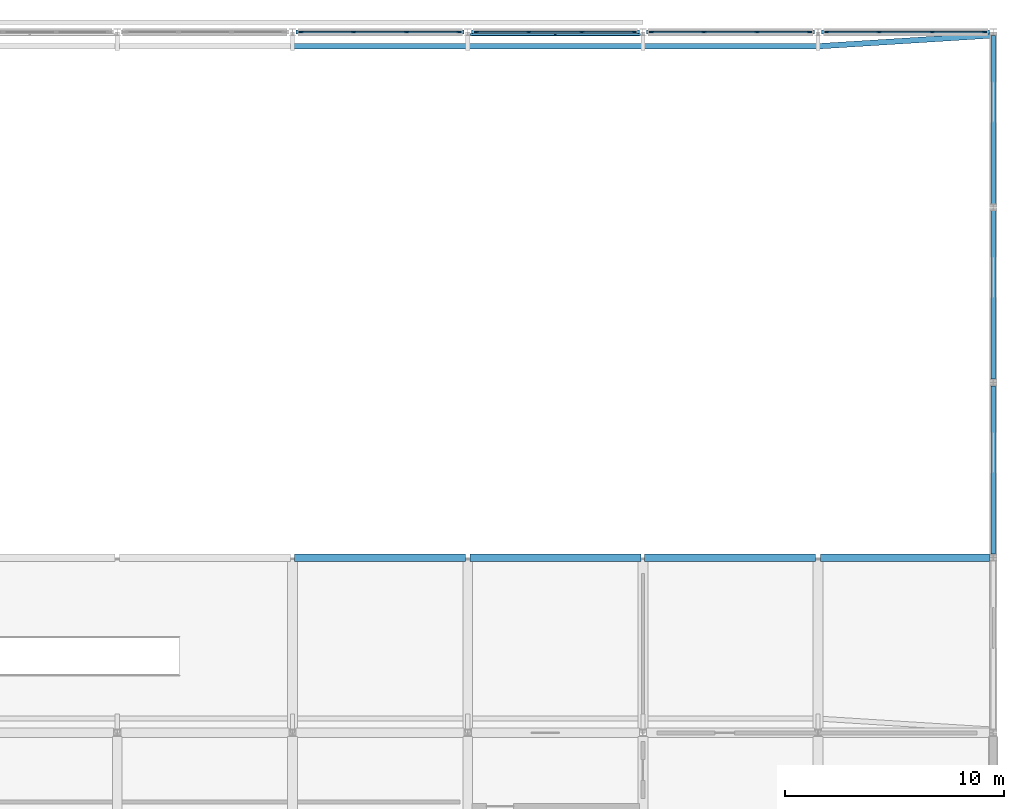
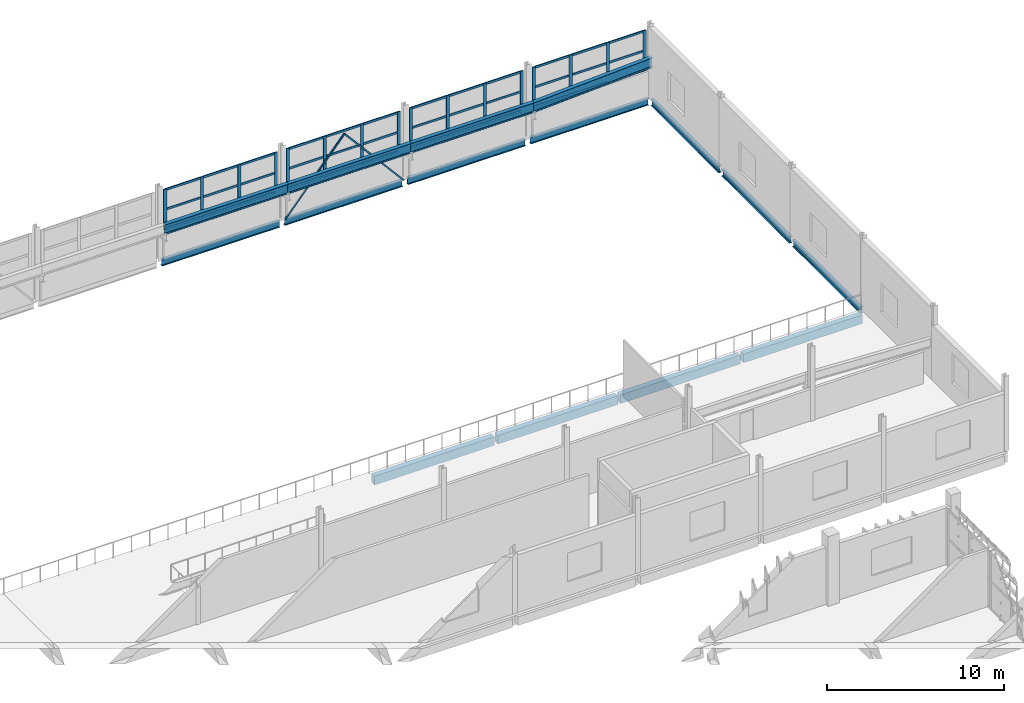
# One storey, part 67 of 106: 54 members, 15 beams, 4 elements without a shape of their own.
"""IFC4 building model written with IfcOpenShell, lengths in metres."""

from ifc_helpers import new_model, si_unit, direction, frame, origin, origin_2d, place, context, subcontext, project, spatial, rectangle, hollow_rectangle, i_section, extrude, material, layer, layer_set, material_profile, profile_set, type_object, element, aggregate, save


model = new_model("IFC4")

# Units and contexts
model_context = context("Model", 3, precision=1e-05, world=origin(), true_north=direction((0.0, 1.0)))
body_context = subcontext(model_context, "Body", "Model", "MODEL_VIEW")
ifc_project = project(units=[si_unit("LENGTHUNIT", "METRE"), si_unit("AREAUNIT", "SQUARE_METRE"), si_unit("VOLUMEUNIT", "CUBIC_METRE"), si_unit("PLANEANGLEUNIT", "RADIAN"), si_unit("MASSUNIT", "GRAM", prefix="KILO")], contexts=[model_context])

# Site, building, storey
site_placement = place(None, origin())
site = spatial("IfcSite", under=ifc_project, at=site_placement, CompositionType="ELEMENT")
building_placement = place(site_placement, origin())
building = spatial("IfcBuilding", under=site, at=building_placement, Name="Jelvoka-Kovrelna Polytechnic", CompositionType="ELEMENT")
storey_placement = place(building_placement, frame((0.0, 0.0, 4.800048828125)))
storey = spatial("IfcBuildingStorey", under=building, at=storey_placement, Name="L02", CompositionType="ELEMENT", Elevation=4.800048828125)

# Beams
ifc_material_1 = material(Name="Structural steel S355JR", Category="steel")
ifc_material_profile_1 = material_profile(ifc_material_1, i_section(OverallWidth=0.2529296875, OverallDepth=0.677978515625, WebThickness=0.01171875, FlangeThickness=0.01611328125, FilletRadius=0.01513671875, at=origin_2d()), Name="686x254x125 UB")
ifc_profile_set_1 = profile_set([ifc_material_profile_1], Name="Structural steel S355JR")
beam_type_1 = type_object("IfcBeamType", Name="CraneGirder_UB686", PredefinedType="USERDEFINED", material=ifc_profile_set_1)
for number, where, z_axis, x_axis, name in (
    (1, (168.0, 119.35009765625, 2.538818359375), (1.0, 0.0, 0.0), (0.0, 1.0, 0.0), "L02 workshop crane runway girder 022"),
    (2, (176.0, 119.35009765625, 2.538818359375), (1.0, 0.0, 0.0), (0.0, 1.0, 0.0), "L02 workshop crane runway girder 024"),
    (3, (184.0, 119.35009765625, 2.538818359375), (1.0, 0.0, 0.0), (0.0, 1.0, 0.0), "L02 workshop crane runway girder 026"),
):
    element("IfcBeam", number, at=place(storey_placement, frame(where, z_axis=z_axis, x_axis=x_axis)), inside=storey, type_object=beam_type_1, Name=name, ObjectType="CRANE RUNWAY", PredefinedType="USERDEFINED", context=body_context, shape_type="SweptSolid", body=[
        extrude(i_section(OverallWidth=0.2529296875, OverallDepth=0.677978515625, WebThickness=0.01171875, FlangeThickness=0.01611328125, FilletRadius=0.01513671875, at=origin_2d()), origin(), (0.0, 0.0, 1.0), 8.0),
    ])
beam_1_placement = place(storey_placement, frame((192.0, 119.35009765625, 2.538818359375), z_axis=(0.998052578483, 0.062378286155, 0.0), x_axis=(-0.062378286155, 0.998052578483, 0.0)))
element("IfcBeam", 4, at=beam_1_placement, inside=storey, type_object=beam_type_1, Name="L02 workshop crane runway girder 028", ObjectType="CRANE RUNWAY", PredefinedType="USERDEFINED", context=body_context, shape_type="SweptSolid", body=[
    extrude(i_section(OverallWidth=0.2529296875, OverallDepth=0.677978515625, WebThickness=0.01171875, FlangeThickness=0.01611328125, FilletRadius=0.01513671875, at=origin_2d()), origin(), (0.0, 0.0, 1.0), 8.015625),
])
ifc_material_2 = material(Name="Structural steel S355JR", Category="steel")
ifc_material_profile_2 = material_profile(ifc_material_2, i_section(OverallWidth=0.18994140625, OverallDepth=0.453369140625, WebThickness=0.008544921875, FlangeThickness=0.0126953125, FilletRadius=0.01025390625, at=origin_2d()), Name="457x191x67 UB")
ifc_profile_set_2 = profile_set([ifc_material_profile_2], Name="Structural steel S355JR")
beam_type_2 = type_object("IfcBeamType", Name="Girder_Steel_UB457", PredefinedType="BEAM", material=ifc_profile_set_2)
for number, where, z_axis, x_axis, name in (
    (5, (168.164306640625, 120.0, -0.226806640625), (1.0, 0.0, 0.0), (0.0, 1.0, 0.0), "L02 beam 0055"),
    (6, (176.164306640625, 120.0, -0.226806640625), (1.0, 0.0, 0.0), (0.0, 1.0, 0.0), "L02 beam 0060"),
    (7, (184.164306640625, 120.0, -0.226806640625), (1.0, 0.0, 0.0), (0.0, 1.0, 0.0), "L02 beam 0065"),
    (8, (192.164306640625, 120.0, -0.226806640625), (1.0, 0.0, 0.0), (0.0, 1.0, 0.0), "L02 beam 0070"),
):
    element("IfcBeam", number, at=place(storey_placement, frame(where, z_axis=z_axis, x_axis=x_axis)), inside=storey, type_object=beam_type_2, Name=name, PredefinedType="BEAM", context=body_context, shape_type="SweptSolid", body=[
        extrude(i_section(OverallWidth=0.18994140625, OverallDepth=0.453369140625, WebThickness=0.008544921875, FlangeThickness=0.0126953125, FilletRadius=0.01025390625, at=origin_2d()), origin(), (0.0, 0.0, 1.0), 7.67138671875),
    ])
for number, where, z_axis, x_axis, name in (
    (9, (200.0, 96.15771484375, -0.226806640625), (0.0, 1.0, 0.0), (-1.0, 0.0, 0.0), "L02 beam 0080"),
    (10, (200.0, 104.15771484375, -0.226806640625), (0.0, 1.0, 0.0), (-1.0, 0.0, 0.0), "L02 beam 0084"),
    (11, (200.0, 112.15771484375, -0.226806640625), (0.0, 1.0, 0.0), (-1.0, 0.0, 0.0), "L02 beam 0088"),
):
    element("IfcBeam", number, at=place(storey_placement, frame(where, z_axis=z_axis, x_axis=x_axis)), inside=storey, type_object=beam_type_2, Name=name, PredefinedType="BEAM", context=body_context, shape_type="SweptSolid", body=[
        extrude(i_section(OverallWidth=0.18994140625, OverallDepth=0.453369140625, WebThickness=0.008544921875, FlangeThickness=0.0126953125, FilletRadius=0.01025390625, at=origin_2d()), origin(), (0.0, 0.0, 1.0), 7.6845703125),
    ])

# Members
ifc_material_3 = material(Name="Structural steel S355J2H", Category="steel")
ifc_material_profile_3 = material_profile(ifc_material_3, hollow_rectangle(XDim=0.10009765625, YDim=0.10009765625, WallThickness=0.00634765625, InnerFilletRadius=0.00634765625, OuterFilletRadius=0.009521484375, at=origin_2d()), Name="100x100x6.3 SHS")
ifc_profile_set_3 = profile_set([ifc_material_profile_3], Name="Structural steel S355J2H")
member_type_1 = type_object("IfcMemberType", Name="Member_Brace_SHS100", PredefinedType="BRACE", material=ifc_profile_set_3)
for number, where, z_axis, x_axis, name in (
    (12, (176.14990234375, 119.8798828125, 0.02001953125), (0.647606697765, 0.0, 0.761974779773), (0.0, 1.0, 0.0), "L02 workshop vertical wall K-brace 0245"),
    (13, (183.85009765625, 119.8798828125, 0.02001953125), (-0.647606697765, 0.0, 0.761974779773), (0.0, -1.0, 0.0), "L02 workshop vertical wall K-brace 0246"),
):
    element("IfcMember", number, at=place(storey_placement, frame(where, z_axis=z_axis, x_axis=x_axis)), inside=storey, type_object=member_type_1, Name=name, PredefinedType="BRACE", context=body_context, shape_type="SweptSolid", body=[
        extrude(hollow_rectangle(XDim=0.10009765625, YDim=0.10009765625, WallThickness=0.00634765625, InnerFilletRadius=0.00634765625, OuterFilletRadius=0.009521484375, at=origin_2d()), origin(), (0.0, 0.0, 1.0), 5.945068359375),
    ])

# Curtain wall, members
ifc_material_4 = material(Name="Anodised aluminium 6063-T6", Category="aluminium")
ifc_layer = layer(ifc_material_4, 0.199951171875)
ifc_layer_set = layer_set([ifc_layer], Name="Anodised aluminium 6063-T6")
curtain_wall_type = type_object("IfcCurtainWallType", Name="CW_Clerestory", PredefinedType="NOTDEFINED", material=ifc_layer_set)
curtain_wall_1_placement = place(storey_placement, origin())
curtain_wall_1 = element("IfcCurtainWall", 14, at=curtain_wall_1_placement, inside=storey, type_object=curtain_wall_type, Name="L02 glazed curtain wall 179", PredefinedType="NOTDEFINED")
ifc_material_5 = material(Name="Anodised aluminium 6063-T6", Category="aluminium")
ifc_material_profile_4 = material_profile(ifc_material_5, rectangle(XDim=0.070068359375, YDim=0.199951171875, at=origin_2d()), Name="ALU 70x200")
ifc_profile_set_4 = profile_set([ifc_material_profile_4], Name="Anodised aluminium 6063-T6")
member_type_2 = type_object("IfcMemberType", Name="Mullion_M-03", PredefinedType="MULLION", material=ifc_profile_set_4)
member_1_placement = place(storey_placement, frame((168.39501953125, 120.0, 1.925048828125), z_axis=(0.0, 0.0, 1.0), x_axis=(0.0, 1.0, 0.0)))
member_1 = element("IfcMember", 15, at=member_1_placement, type_object=member_type_2, Name="CW-03 mullion 1", PredefinedType="MULLION", context=body_context, shape_type="SweptSolid", body=[
    extrude(rectangle(XDim=0.070068359375, YDim=0.199951171875, at=origin_2d()), origin(), (0.0, 0.0, 1.0), 2.820068359375),
])
member_2_placement = place(storey_placement, frame((170.78662109375, 120.0, 1.925048828125), z_axis=(0.0, 0.0, 1.0), x_axis=(0.0, 1.0, 0.0)))
member_2 = element("IfcMember", 16, at=member_2_placement, type_object=member_type_2, Name="CW-03 mullion 2", PredefinedType="MULLION", context=body_context, shape_type="SweptSolid", body=[
    extrude(rectangle(XDim=0.070068359375, YDim=0.199951171875, at=origin_2d()), origin(), (0.0, 0.0, 1.0), 2.820068359375),
])
member_3_placement = place(storey_placement, frame((173.21337890625, 120.0, 1.925048828125), z_axis=(0.0, 0.0, 1.0), x_axis=(0.0, 1.0, 0.0)))
member_3 = element("IfcMember", 17, at=member_3_placement, type_object=member_type_2, Name="CW-03 mullion 3", PredefinedType="MULLION", context=body_context, shape_type="SweptSolid", body=[
    extrude(rectangle(XDim=0.070068359375, YDim=0.199951171875, at=origin_2d()), origin(), (0.0, 0.0, 1.0), 2.820068359375),
])
member_4_placement = place(storey_placement, frame((175.60498046875, 120.0, 1.925048828125), z_axis=(0.0, 0.0, 1.0), x_axis=(0.0, 1.0, 0.0)))
member_4 = element("IfcMember", 18, at=member_4_placement, type_object=member_type_2, Name="CW-03 mullion 4", PredefinedType="MULLION", context=body_context, shape_type="SweptSolid", body=[
    extrude(rectangle(XDim=0.070068359375, YDim=0.199951171875, at=origin_2d()), origin(), (0.0, 0.0, 1.0), 2.820068359375),
])

curtain_wall_2_placement = place(storey_placement, origin())
curtain_wall_2 = element("IfcCurtainWall", 19, at=curtain_wall_2_placement, inside=storey, type_object=curtain_wall_type, Name="L02 glazed curtain wall 180", PredefinedType="NOTDEFINED")
member_5_placement = place(storey_placement, frame((176.39501953125, 120.0, 1.925048828125), z_axis=(0.0, 0.0, 1.0), x_axis=(0.0, 1.0, 0.0)))
member_5 = element("IfcMember", 20, at=member_5_placement, type_object=member_type_2, Name="CW-03 mullion 1", PredefinedType="MULLION", context=body_context, shape_type="SweptSolid", body=[
    extrude(rectangle(XDim=0.070068359375, YDim=0.199951171875, at=origin_2d()), origin(), (0.0, 0.0, 1.0), 2.820068359375),
])
member_6_placement = place(storey_placement, frame((178.78662109375, 120.0, 1.925048828125), z_axis=(0.0, 0.0, 1.0), x_axis=(0.0, 1.0, 0.0)))
member_6 = element("IfcMember", 21, at=member_6_placement, type_object=member_type_2, Name="CW-03 mullion 2", PredefinedType="MULLION", context=body_context, shape_type="SweptSolid", body=[
    extrude(rectangle(XDim=0.070068359375, YDim=0.199951171875, at=origin_2d()), origin(), (0.0, 0.0, 1.0), 2.820068359375),
])
member_7_placement = place(storey_placement, frame((181.21337890625, 120.0, 1.925048828125), z_axis=(0.0, 0.0, 1.0), x_axis=(0.0, 1.0, 0.0)))
member_7 = element("IfcMember", 22, at=member_7_placement, type_object=member_type_2, Name="CW-03 mullion 3", PredefinedType="MULLION", context=body_context, shape_type="SweptSolid", body=[
    extrude(rectangle(XDim=0.070068359375, YDim=0.199951171875, at=origin_2d()), origin(), (0.0, 0.0, 1.0), 2.820068359375),
])
member_8_placement = place(storey_placement, frame((183.60498046875, 120.0, 1.925048828125), z_axis=(0.0, 0.0, 1.0), x_axis=(0.0, 1.0, 0.0)))
member_8 = element("IfcMember", 23, at=member_8_placement, type_object=member_type_2, Name="CW-03 mullion 4", PredefinedType="MULLION", context=body_context, shape_type="SweptSolid", body=[
    extrude(rectangle(XDim=0.070068359375, YDim=0.199951171875, at=origin_2d()), origin(), (0.0, 0.0, 1.0), 2.820068359375),
])

curtain_wall_3_placement = place(storey_placement, origin())
curtain_wall_3 = element("IfcCurtainWall", 24, at=curtain_wall_3_placement, inside=storey, type_object=curtain_wall_type, Name="L02 glazed curtain wall 181", PredefinedType="NOTDEFINED")
member_9_placement = place(storey_placement, frame((184.39501953125, 120.0, 1.925048828125), z_axis=(0.0, 0.0, 1.0), x_axis=(0.0, 1.0, 0.0)))
member_9 = element("IfcMember", 25, at=member_9_placement, type_object=member_type_2, Name="CW-03 mullion 1", PredefinedType="MULLION", context=body_context, shape_type="SweptSolid", body=[
    extrude(rectangle(XDim=0.070068359375, YDim=0.199951171875, at=origin_2d()), origin(), (0.0, 0.0, 1.0), 2.820068359375),
])
member_10_placement = place(storey_placement, frame((186.78662109375, 120.0, 1.925048828125), z_axis=(0.0, 0.0, 1.0), x_axis=(0.0, 1.0, 0.0)))
member_10 = element("IfcMember", 26, at=member_10_placement, type_object=member_type_2, Name="CW-03 mullion 2", PredefinedType="MULLION", context=body_context, shape_type="SweptSolid", body=[
    extrude(rectangle(XDim=0.070068359375, YDim=0.199951171875, at=origin_2d()), origin(), (0.0, 0.0, 1.0), 2.820068359375),
])
member_11_placement = place(storey_placement, frame((189.21337890625, 120.0, 1.925048828125), z_axis=(0.0, 0.0, 1.0), x_axis=(0.0, 1.0, 0.0)))
member_11 = element("IfcMember", 27, at=member_11_placement, type_object=member_type_2, Name="CW-03 mullion 3", PredefinedType="MULLION", context=body_context, shape_type="SweptSolid", body=[
    extrude(rectangle(XDim=0.070068359375, YDim=0.199951171875, at=origin_2d()), origin(), (0.0, 0.0, 1.0), 2.820068359375),
])
member_12_placement = place(storey_placement, frame((191.60498046875, 120.0, 1.925048828125), z_axis=(0.0, 0.0, 1.0), x_axis=(0.0, 1.0, 0.0)))
member_12 = element("IfcMember", 28, at=member_12_placement, type_object=member_type_2, Name="CW-03 mullion 4", PredefinedType="MULLION", context=body_context, shape_type="SweptSolid", body=[
    extrude(rectangle(XDim=0.070068359375, YDim=0.199951171875, at=origin_2d()), origin(), (0.0, 0.0, 1.0), 2.820068359375),
])

curtain_wall_4_placement = place(storey_placement, origin())
curtain_wall_4 = element("IfcCurtainWall", 29, at=curtain_wall_4_placement, inside=storey, type_object=curtain_wall_type, Name="L02 glazed curtain wall 182", PredefinedType="NOTDEFINED")
member_13_placement = place(storey_placement, frame((192.39501953125, 120.0, 1.925048828125), z_axis=(0.0, 0.0, 1.0), x_axis=(0.0, 1.0, 0.0)))
member_13 = element("IfcMember", 30, at=member_13_placement, type_object=member_type_2, Name="CW-03 mullion 1", PredefinedType="MULLION", context=body_context, shape_type="SweptSolid", body=[
    extrude(rectangle(XDim=0.070068359375, YDim=0.199951171875, at=origin_2d()), origin(), (0.0, 0.0, 1.0), 2.820068359375),
])
member_14_placement = place(storey_placement, frame((194.78662109375, 120.0, 1.925048828125), z_axis=(0.0, 0.0, 1.0), x_axis=(0.0, 1.0, 0.0)))
member_14 = element("IfcMember", 31, at=member_14_placement, type_object=member_type_2, Name="CW-03 mullion 2", PredefinedType="MULLION", context=body_context, shape_type="SweptSolid", body=[
    extrude(rectangle(XDim=0.070068359375, YDim=0.199951171875, at=origin_2d()), origin(), (0.0, 0.0, 1.0), 2.820068359375),
])
member_15_placement = place(storey_placement, frame((197.21337890625, 120.0, 1.925048828125), z_axis=(0.0, 0.0, 1.0), x_axis=(0.0, 1.0, 0.0)))
member_15 = element("IfcMember", 32, at=member_15_placement, type_object=member_type_2, Name="CW-03 mullion 3", PredefinedType="MULLION", context=body_context, shape_type="SweptSolid", body=[
    extrude(rectangle(XDim=0.070068359375, YDim=0.199951171875, at=origin_2d()), origin(), (0.0, 0.0, 1.0), 2.820068359375),
])
member_16_placement = place(storey_placement, frame((199.60498046875, 120.0, 1.925048828125), z_axis=(0.0, 0.0, 1.0), x_axis=(0.0, 1.0, 0.0)))
member_16 = element("IfcMember", 33, at=member_16_placement, type_object=member_type_2, Name="CW-03 mullion 4", PredefinedType="MULLION", context=body_context, shape_type="SweptSolid", body=[
    extrude(rectangle(XDim=0.070068359375, YDim=0.199951171875, at=origin_2d()), origin(), (0.0, 0.0, 1.0), 2.820068359375),
])

# Beams
ifc_material_6 = material(Name="Concrete C40/50", Category="concrete")
ifc_material_profile_5 = material_profile(ifc_material_6, rectangle(XDim=0.35009765625, YDim=0.60009765625, at=origin_2d()), Name="RC 350x600")
ifc_profile_set_5 = profile_set([ifc_material_profile_5], Name="Concrete C40/50")
beam_type_3 = type_object("IfcBeamType", Name="Spandrel_RC_350x600", PredefinedType="SPANDREL", material=ifc_profile_set_5)
for number, where, z_axis, x_axis, name in (
    (34, (168.0830078125, 96.0, -0.580078125), (1.0, 0.0, 0.0), (0.0, 1.0, 0.0), "L02 beam 0598"),
    (35, (176.107421875, 96.0, -0.580078125), (1.0, 0.0, 0.0), (0.0, 1.0, 0.0), "L02 beam 0599"),
    (36, (184.0830078125, 96.0, -0.580078125), (1.0, 0.0, 0.0), (0.0, 1.0, 0.0), "L02 beam 0600"),
):
    element("IfcBeam", number, at=place(storey_placement, frame(where, z_axis=z_axis, x_axis=x_axis)), inside=storey, type_object=beam_type_3, Name=name, PredefinedType="SPANDREL", context=body_context, shape_type="SweptSolid", body=[
        extrude(rectangle(XDim=0.35009765625, YDim=0.60009765625, at=origin_2d()), origin(), (0.0, 0.0, 1.0), 7.8095703125),
    ])
beam_2_placement = place(storey_placement, frame((192.107421875, 96.0, -0.580078125), z_axis=(1.0, 0.0, 0.0), x_axis=(0.0, 1.0, 0.0)))
element("IfcBeam", 37, at=beam_2_placement, inside=storey, type_object=beam_type_3, Name="L02 beam 0601", PredefinedType="SPANDREL", context=body_context, shape_type="SweptSolid", body=[
    extrude(rectangle(XDim=0.35009765625, YDim=0.60009765625, at=origin_2d()), origin(), (0.0, 0.0, 1.0), 7.728271484375),
])

# Member
ifc_material_7 = material(Name="Anodised aluminium 6063-T6", Category="aluminium")
ifc_material_profile_6 = material_profile(ifc_material_7, rectangle(XDim=0.070068359375, YDim=0.14501953125, at=origin_2d()), Name="ALU 70x145")
ifc_profile_set_6 = profile_set([ifc_material_profile_6], Name="Anodised aluminium 6063-T6")
member_type_3 = type_object("IfcMemberType", Name="Transom_T-03", PredefinedType="USERDEFINED", material=ifc_profile_set_6)
member_17_placement = place(storey_placement, frame((168.429931640625, 120.0, 1.98486328125), z_axis=(1.0, 0.0, 0.0), x_axis=(0.0, 1.0, 0.0)))
member_17 = element("IfcMember", 38, at=member_17_placement, type_object=member_type_3, Name="CW-03 transom 1.1", ObjectType="TRANSOM", PredefinedType="USERDEFINED", context=body_context, shape_type="SweptSolid", body=[
    extrude(rectangle(XDim=0.070068359375, YDim=0.14501953125, at=origin_2d()), origin(), (0.0, 0.0, 1.0), 2.32177734375),
])

member_18_placement = place(storey_placement, frame((168.429931640625, 120.0, 3.3349609375), z_axis=(1.0, 0.0, 0.0), x_axis=(0.0, 1.0, 0.0)))
member_18 = element("IfcMember", 39, at=member_18_placement, type_object=member_type_3, Name="CW-03 transom 1.2", ObjectType="TRANSOM", PredefinedType="USERDEFINED", context=body_context, shape_type="SweptSolid", body=[
    extrude(rectangle(XDim=0.070068359375, YDim=0.14501953125, at=origin_2d()), origin(), (0.0, 0.0, 1.0), 2.32177734375),
])

member_19_placement = place(storey_placement, frame((168.429931640625, 120.0, 4.68505859375), z_axis=(1.0, 0.0, 0.0), x_axis=(0.0, 1.0, 0.0)))
member_19 = element("IfcMember", 40, at=member_19_placement, type_object=member_type_3, Name="CW-03 transom 1.3", ObjectType="TRANSOM", PredefinedType="USERDEFINED", context=body_context, shape_type="SweptSolid", body=[
    extrude(rectangle(XDim=0.070068359375, YDim=0.14501953125, at=origin_2d()), origin(), (0.0, 0.0, 1.0), 2.32177734375),
])

member_20_placement = place(storey_placement, frame((170.82177734375, 120.0, 1.98486328125), z_axis=(1.0, 0.0, 0.0), x_axis=(0.0, 1.0, 0.0)))
member_20 = element("IfcMember", 41, at=member_20_placement, type_object=member_type_3, Name="CW-03 transom 2.1", ObjectType="TRANSOM", PredefinedType="USERDEFINED", context=body_context, shape_type="SweptSolid", body=[
    extrude(rectangle(XDim=0.070068359375, YDim=0.14501953125, at=origin_2d()), origin(), (0.0, 0.0, 1.0), 2.3564453125),
])

member_21_placement = place(storey_placement, frame((170.82177734375, 120.0, 3.3349609375), z_axis=(1.0, 0.0, 0.0), x_axis=(0.0, 1.0, 0.0)))
member_21 = element("IfcMember", 42, at=member_21_placement, type_object=member_type_3, Name="CW-03 transom 2.2", ObjectType="TRANSOM", PredefinedType="USERDEFINED", context=body_context, shape_type="SweptSolid", body=[
    extrude(rectangle(XDim=0.070068359375, YDim=0.14501953125, at=origin_2d()), origin(), (0.0, 0.0, 1.0), 2.3564453125),
])

member_22_placement = place(storey_placement, frame((170.82177734375, 120.0, 4.68505859375), z_axis=(1.0, 0.0, 0.0), x_axis=(0.0, 1.0, 0.0)))
member_22 = element("IfcMember", 43, at=member_22_placement, type_object=member_type_3, Name="CW-03 transom 2.3", ObjectType="TRANSOM", PredefinedType="USERDEFINED", context=body_context, shape_type="SweptSolid", body=[
    extrude(rectangle(XDim=0.070068359375, YDim=0.14501953125, at=origin_2d()), origin(), (0.0, 0.0, 1.0), 2.3564453125),
])

member_23_placement = place(storey_placement, frame((173.248291015625, 120.0, 1.98486328125), z_axis=(1.0, 0.0, 0.0), x_axis=(0.0, 1.0, 0.0)))
member_23 = element("IfcMember", 44, at=member_23_placement, type_object=member_type_3, Name="CW-03 transom 3.1", ObjectType="TRANSOM", PredefinedType="USERDEFINED", context=body_context, shape_type="SweptSolid", body=[
    extrude(rectangle(XDim=0.070068359375, YDim=0.14501953125, at=origin_2d()), origin(), (0.0, 0.0, 1.0), 2.32177734375),
])

member_24_placement = place(storey_placement, frame((173.248291015625, 120.0, 3.3349609375), z_axis=(1.0, 0.0, 0.0), x_axis=(0.0, 1.0, 0.0)))
member_24 = element("IfcMember", 45, at=member_24_placement, type_object=member_type_3, Name="CW-03 transom 3.2", ObjectType="TRANSOM", PredefinedType="USERDEFINED", context=body_context, shape_type="SweptSolid", body=[
    extrude(rectangle(XDim=0.070068359375, YDim=0.14501953125, at=origin_2d()), origin(), (0.0, 0.0, 1.0), 2.32177734375),
])

member_25_placement = place(storey_placement, frame((173.248291015625, 120.0, 4.68505859375), z_axis=(1.0, 0.0, 0.0), x_axis=(0.0, 1.0, 0.0)))
member_25 = element("IfcMember", 46, at=member_25_placement, type_object=member_type_3, Name="CW-03 transom 3.3", ObjectType="TRANSOM", PredefinedType="USERDEFINED", context=body_context, shape_type="SweptSolid", body=[
    extrude(rectangle(XDim=0.070068359375, YDim=0.14501953125, at=origin_2d()), origin(), (0.0, 0.0, 1.0), 2.32177734375),
])

aggregate(curtain_wall_1, [member_1, member_2, member_3, member_4, member_17, member_18, member_19, member_20, member_21, member_22, member_23, member_24, member_25])

member_26_placement = place(storey_placement, frame((176.429931640625, 120.0, 1.98486328125), z_axis=(1.0, 0.0, 0.0), x_axis=(0.0, 1.0, 0.0)))
member_26 = element("IfcMember", 47, at=member_26_placement, type_object=member_type_3, Name="CW-03 transom 1.1", ObjectType="TRANSOM", PredefinedType="USERDEFINED", context=body_context, shape_type="SweptSolid", body=[
    extrude(rectangle(XDim=0.070068359375, YDim=0.14501953125, at=origin_2d()), origin(), (0.0, 0.0, 1.0), 2.32177734375),
])

member_27_placement = place(storey_placement, frame((176.429931640625, 120.0, 3.3349609375), z_axis=(1.0, 0.0, 0.0), x_axis=(0.0, 1.0, 0.0)))
member_27 = element("IfcMember", 48, at=member_27_placement, type_object=member_type_3, Name="CW-03 transom 1.2", ObjectType="TRANSOM", PredefinedType="USERDEFINED", context=body_context, shape_type="SweptSolid", body=[
    extrude(rectangle(XDim=0.070068359375, YDim=0.14501953125, at=origin_2d()), origin(), (0.0, 0.0, 1.0), 2.32177734375),
])

member_28_placement = place(storey_placement, frame((176.429931640625, 120.0, 4.68505859375), z_axis=(1.0, 0.0, 0.0), x_axis=(0.0, 1.0, 0.0)))
member_28 = element("IfcMember", 49, at=member_28_placement, type_object=member_type_3, Name="CW-03 transom 1.3", ObjectType="TRANSOM", PredefinedType="USERDEFINED", context=body_context, shape_type="SweptSolid", body=[
    extrude(rectangle(XDim=0.070068359375, YDim=0.14501953125, at=origin_2d()), origin(), (0.0, 0.0, 1.0), 2.32177734375),
])

member_29_placement = place(storey_placement, frame((178.82177734375, 120.0, 1.98486328125), z_axis=(1.0, 0.0, 0.0), x_axis=(0.0, 1.0, 0.0)))
member_29 = element("IfcMember", 50, at=member_29_placement, type_object=member_type_3, Name="CW-03 transom 2.1", ObjectType="TRANSOM", PredefinedType="USERDEFINED", context=body_context, shape_type="SweptSolid", body=[
    extrude(rectangle(XDim=0.070068359375, YDim=0.14501953125, at=origin_2d()), origin(), (0.0, 0.0, 1.0), 2.3564453125),
])

member_30_placement = place(storey_placement, frame((178.82177734375, 120.0, 3.3349609375), z_axis=(1.0, 0.0, 0.0), x_axis=(0.0, 1.0, 0.0)))
member_30 = element("IfcMember", 51, at=member_30_placement, type_object=member_type_3, Name="CW-03 transom 2.2", ObjectType="TRANSOM", PredefinedType="USERDEFINED", context=body_context, shape_type="SweptSolid", body=[
    extrude(rectangle(XDim=0.070068359375, YDim=0.14501953125, at=origin_2d()), origin(), (0.0, 0.0, 1.0), 2.3564453125),
])

member_31_placement = place(storey_placement, frame((178.82177734375, 120.0, 4.68505859375), z_axis=(1.0, 0.0, 0.0), x_axis=(0.0, 1.0, 0.0)))
member_31 = element("IfcMember", 52, at=member_31_placement, type_object=member_type_3, Name="CW-03 transom 2.3", ObjectType="TRANSOM", PredefinedType="USERDEFINED", context=body_context, shape_type="SweptSolid", body=[
    extrude(rectangle(XDim=0.070068359375, YDim=0.14501953125, at=origin_2d()), origin(), (0.0, 0.0, 1.0), 2.3564453125),
])

member_32_placement = place(storey_placement, frame((181.248291015625, 120.0, 1.98486328125), z_axis=(1.0, 0.0, 0.0), x_axis=(0.0, 1.0, 0.0)))
member_32 = element("IfcMember", 53, at=member_32_placement, type_object=member_type_3, Name="CW-03 transom 3.1", ObjectType="TRANSOM", PredefinedType="USERDEFINED", context=body_context, shape_type="SweptSolid", body=[
    extrude(rectangle(XDim=0.070068359375, YDim=0.14501953125, at=origin_2d()), origin(), (0.0, 0.0, 1.0), 2.32177734375),
])

member_33_placement = place(storey_placement, frame((181.248291015625, 120.0, 3.3349609375), z_axis=(1.0, 0.0, 0.0), x_axis=(0.0, 1.0, 0.0)))
member_33 = element("IfcMember", 54, at=member_33_placement, type_object=member_type_3, Name="CW-03 transom 3.2", ObjectType="TRANSOM", PredefinedType="USERDEFINED", context=body_context, shape_type="SweptSolid", body=[
    extrude(rectangle(XDim=0.070068359375, YDim=0.14501953125, at=origin_2d()), origin(), (0.0, 0.0, 1.0), 2.32177734375),
])

member_34_placement = place(storey_placement, frame((181.248291015625, 120.0, 4.68505859375), z_axis=(1.0, 0.0, 0.0), x_axis=(0.0, 1.0, 0.0)))
member_34 = element("IfcMember", 55, at=member_34_placement, type_object=member_type_3, Name="CW-03 transom 3.3", ObjectType="TRANSOM", PredefinedType="USERDEFINED", context=body_context, shape_type="SweptSolid", body=[
    extrude(rectangle(XDim=0.070068359375, YDim=0.14501953125, at=origin_2d()), origin(), (0.0, 0.0, 1.0), 2.32177734375),
])

aggregate(curtain_wall_2, [member_5, member_6, member_7, member_8, member_26, member_27, member_28, member_29, member_30, member_31, member_32, member_33, member_34])

member_35_placement = place(storey_placement, frame((184.429931640625, 120.0, 1.98486328125), z_axis=(1.0, 0.0, 0.0), x_axis=(0.0, 1.0, 0.0)))
member_35 = element("IfcMember", 56, at=member_35_placement, type_object=member_type_3, Name="CW-03 transom 1.1", ObjectType="TRANSOM", PredefinedType="USERDEFINED", context=body_context, shape_type="SweptSolid", body=[
    extrude(rectangle(XDim=0.070068359375, YDim=0.14501953125, at=origin_2d()), origin(), (0.0, 0.0, 1.0), 2.32177734375),
])

member_36_placement = place(storey_placement, frame((184.429931640625, 120.0, 3.3349609375), z_axis=(1.0, 0.0, 0.0), x_axis=(0.0, 1.0, 0.0)))
member_36 = element("IfcMember", 57, at=member_36_placement, type_object=member_type_3, Name="CW-03 transom 1.2", ObjectType="TRANSOM", PredefinedType="USERDEFINED", context=body_context, shape_type="SweptSolid", body=[
    extrude(rectangle(XDim=0.070068359375, YDim=0.14501953125, at=origin_2d()), origin(), (0.0, 0.0, 1.0), 2.32177734375),
])

member_37_placement = place(storey_placement, frame((184.429931640625, 120.0, 4.68505859375), z_axis=(1.0, 0.0, 0.0), x_axis=(0.0, 1.0, 0.0)))
member_37 = element("IfcMember", 58, at=member_37_placement, type_object=member_type_3, Name="CW-03 transom 1.3", ObjectType="TRANSOM", PredefinedType="USERDEFINED", context=body_context, shape_type="SweptSolid", body=[
    extrude(rectangle(XDim=0.070068359375, YDim=0.14501953125, at=origin_2d()), origin(), (0.0, 0.0, 1.0), 2.32177734375),
])

member_38_placement = place(storey_placement, frame((186.82177734375, 120.0, 1.98486328125), z_axis=(1.0, 0.0, 0.0), x_axis=(0.0, 1.0, 0.0)))
member_38 = element("IfcMember", 59, at=member_38_placement, type_object=member_type_3, Name="CW-03 transom 2.1", ObjectType="TRANSOM", PredefinedType="USERDEFINED", context=body_context, shape_type="SweptSolid", body=[
    extrude(rectangle(XDim=0.070068359375, YDim=0.14501953125, at=origin_2d()), origin(), (0.0, 0.0, 1.0), 2.3564453125),
])

member_39_placement = place(storey_placement, frame((186.82177734375, 120.0, 3.3349609375), z_axis=(1.0, 0.0, 0.0), x_axis=(0.0, 1.0, 0.0)))
member_39 = element("IfcMember", 60, at=member_39_placement, type_object=member_type_3, Name="CW-03 transom 2.2", ObjectType="TRANSOM", PredefinedType="USERDEFINED", context=body_context, shape_type="SweptSolid", body=[
    extrude(rectangle(XDim=0.070068359375, YDim=0.14501953125, at=origin_2d()), origin(), (0.0, 0.0, 1.0), 2.3564453125),
])

member_40_placement = place(storey_placement, frame((186.82177734375, 120.0, 4.68505859375), z_axis=(1.0, 0.0, 0.0), x_axis=(0.0, 1.0, 0.0)))
member_40 = element("IfcMember", 61, at=member_40_placement, type_object=member_type_3, Name="CW-03 transom 2.3", ObjectType="TRANSOM", PredefinedType="USERDEFINED", context=body_context, shape_type="SweptSolid", body=[
    extrude(rectangle(XDim=0.070068359375, YDim=0.14501953125, at=origin_2d()), origin(), (0.0, 0.0, 1.0), 2.3564453125),
])

member_41_placement = place(storey_placement, frame((189.248291015625, 120.0, 1.98486328125), z_axis=(1.0, 0.0, 0.0), x_axis=(0.0, 1.0, 0.0)))
member_41 = element("IfcMember", 62, at=member_41_placement, type_object=member_type_3, Name="CW-03 transom 3.1", ObjectType="TRANSOM", PredefinedType="USERDEFINED", context=body_context, shape_type="SweptSolid", body=[
    extrude(rectangle(XDim=0.070068359375, YDim=0.14501953125, at=origin_2d()), origin(), (0.0, 0.0, 1.0), 2.32177734375),
])

member_42_placement = place(storey_placement, frame((189.248291015625, 120.0, 3.3349609375), z_axis=(1.0, 0.0, 0.0), x_axis=(0.0, 1.0, 0.0)))
member_42 = element("IfcMember", 63, at=member_42_placement, type_object=member_type_3, Name="CW-03 transom 3.2", ObjectType="TRANSOM", PredefinedType="USERDEFINED", context=body_context, shape_type="SweptSolid", body=[
    extrude(rectangle(XDim=0.070068359375, YDim=0.14501953125, at=origin_2d()), origin(), (0.0, 0.0, 1.0), 2.32177734375),
])

member_43_placement = place(storey_placement, frame((189.248291015625, 120.0, 4.68505859375), z_axis=(1.0, 0.0, 0.0), x_axis=(0.0, 1.0, 0.0)))
member_43 = element("IfcMember", 64, at=member_43_placement, type_object=member_type_3, Name="CW-03 transom 3.3", ObjectType="TRANSOM", PredefinedType="USERDEFINED", context=body_context, shape_type="SweptSolid", body=[
    extrude(rectangle(XDim=0.070068359375, YDim=0.14501953125, at=origin_2d()), origin(), (0.0, 0.0, 1.0), 2.32177734375),
])

aggregate(curtain_wall_3, [member_9, member_10, member_11, member_12, member_35, member_36, member_37, member_38, member_39, member_40, member_41, member_42, member_43])

member_44_placement = place(storey_placement, frame((192.429931640625, 120.0, 1.98486328125), z_axis=(1.0, 0.0, 0.0), x_axis=(0.0, 1.0, 0.0)))
member_44 = element("IfcMember", 65, at=member_44_placement, type_object=member_type_3, Name="CW-03 transom 1.1", ObjectType="TRANSOM", PredefinedType="USERDEFINED", context=body_context, shape_type="SweptSolid", body=[
    extrude(rectangle(XDim=0.070068359375, YDim=0.14501953125, at=origin_2d()), origin(), (0.0, 0.0, 1.0), 2.32177734375),
])

member_45_placement = place(storey_placement, frame((192.429931640625, 120.0, 3.3349609375), z_axis=(1.0, 0.0, 0.0), x_axis=(0.0, 1.0, 0.0)))
member_45 = element("IfcMember", 66, at=member_45_placement, type_object=member_type_3, Name="CW-03 transom 1.2", ObjectType="TRANSOM", PredefinedType="USERDEFINED", context=body_context, shape_type="SweptSolid", body=[
    extrude(rectangle(XDim=0.070068359375, YDim=0.14501953125, at=origin_2d()), origin(), (0.0, 0.0, 1.0), 2.32177734375),
])

member_46_placement = place(storey_placement, frame((192.429931640625, 120.0, 4.68505859375), z_axis=(1.0, 0.0, 0.0), x_axis=(0.0, 1.0, 0.0)))
member_46 = element("IfcMember", 67, at=member_46_placement, type_object=member_type_3, Name="CW-03 transom 1.3", ObjectType="TRANSOM", PredefinedType="USERDEFINED", context=body_context, shape_type="SweptSolid", body=[
    extrude(rectangle(XDim=0.070068359375, YDim=0.14501953125, at=origin_2d()), origin(), (0.0, 0.0, 1.0), 2.32177734375),
])

member_47_placement = place(storey_placement, frame((194.82177734375, 120.0, 1.98486328125), z_axis=(1.0, 0.0, 0.0), x_axis=(0.0, 1.0, 0.0)))
member_47 = element("IfcMember", 68, at=member_47_placement, type_object=member_type_3, Name="CW-03 transom 2.1", ObjectType="TRANSOM", PredefinedType="USERDEFINED", context=body_context, shape_type="SweptSolid", body=[
    extrude(rectangle(XDim=0.070068359375, YDim=0.14501953125, at=origin_2d()), origin(), (0.0, 0.0, 1.0), 2.3564453125),
])

member_48_placement = place(storey_placement, frame((194.82177734375, 120.0, 3.3349609375), z_axis=(1.0, 0.0, 0.0), x_axis=(0.0, 1.0, 0.0)))
member_48 = element("IfcMember", 69, at=member_48_placement, type_object=member_type_3, Name="CW-03 transom 2.2", ObjectType="TRANSOM", PredefinedType="USERDEFINED", context=body_context, shape_type="SweptSolid", body=[
    extrude(rectangle(XDim=0.070068359375, YDim=0.14501953125, at=origin_2d()), origin(), (0.0, 0.0, 1.0), 2.3564453125),
])

member_49_placement = place(storey_placement, frame((194.82177734375, 120.0, 4.68505859375), z_axis=(1.0, 0.0, 0.0), x_axis=(0.0, 1.0, 0.0)))
member_49 = element("IfcMember", 70, at=member_49_placement, type_object=member_type_3, Name="CW-03 transom 2.3", ObjectType="TRANSOM", PredefinedType="USERDEFINED", context=body_context, shape_type="SweptSolid", body=[
    extrude(rectangle(XDim=0.070068359375, YDim=0.14501953125, at=origin_2d()), origin(), (0.0, 0.0, 1.0), 2.3564453125),
])

member_50_placement = place(storey_placement, frame((197.248291015625, 120.0, 1.98486328125), z_axis=(1.0, 0.0, 0.0), x_axis=(0.0, 1.0, 0.0)))
member_50 = element("IfcMember", 71, at=member_50_placement, type_object=member_type_3, Name="CW-03 transom 3.1", ObjectType="TRANSOM", PredefinedType="USERDEFINED", context=body_context, shape_type="SweptSolid", body=[
    extrude(rectangle(XDim=0.070068359375, YDim=0.14501953125, at=origin_2d()), origin(), (0.0, 0.0, 1.0), 2.32177734375),
])

member_51_placement = place(storey_placement, frame((197.248291015625, 120.0, 3.3349609375), z_axis=(1.0, 0.0, 0.0), x_axis=(0.0, 1.0, 0.0)))
member_51 = element("IfcMember", 72, at=member_51_placement, type_object=member_type_3, Name="CW-03 transom 3.2", ObjectType="TRANSOM", PredefinedType="USERDEFINED", context=body_context, shape_type="SweptSolid", body=[
    extrude(rectangle(XDim=0.070068359375, YDim=0.14501953125, at=origin_2d()), origin(), (0.0, 0.0, 1.0), 2.32177734375),
])

member_52_placement = place(storey_placement, frame((197.248291015625, 120.0, 4.68505859375), z_axis=(1.0, 0.0, 0.0), x_axis=(0.0, 1.0, 0.0)))
member_52 = element("IfcMember", 73, at=member_52_placement, type_object=member_type_3, Name="CW-03 transom 3.3", ObjectType="TRANSOM", PredefinedType="USERDEFINED", context=body_context, shape_type="SweptSolid", body=[
    extrude(rectangle(XDim=0.070068359375, YDim=0.14501953125, at=origin_2d()), origin(), (0.0, 0.0, 1.0), 2.32177734375),
])

aggregate(curtain_wall_4, [member_13, member_14, member_15, member_16, member_44, member_45, member_46, member_47, member_48, member_49, member_50, member_51, member_52])

save(model, "model.ifc")
